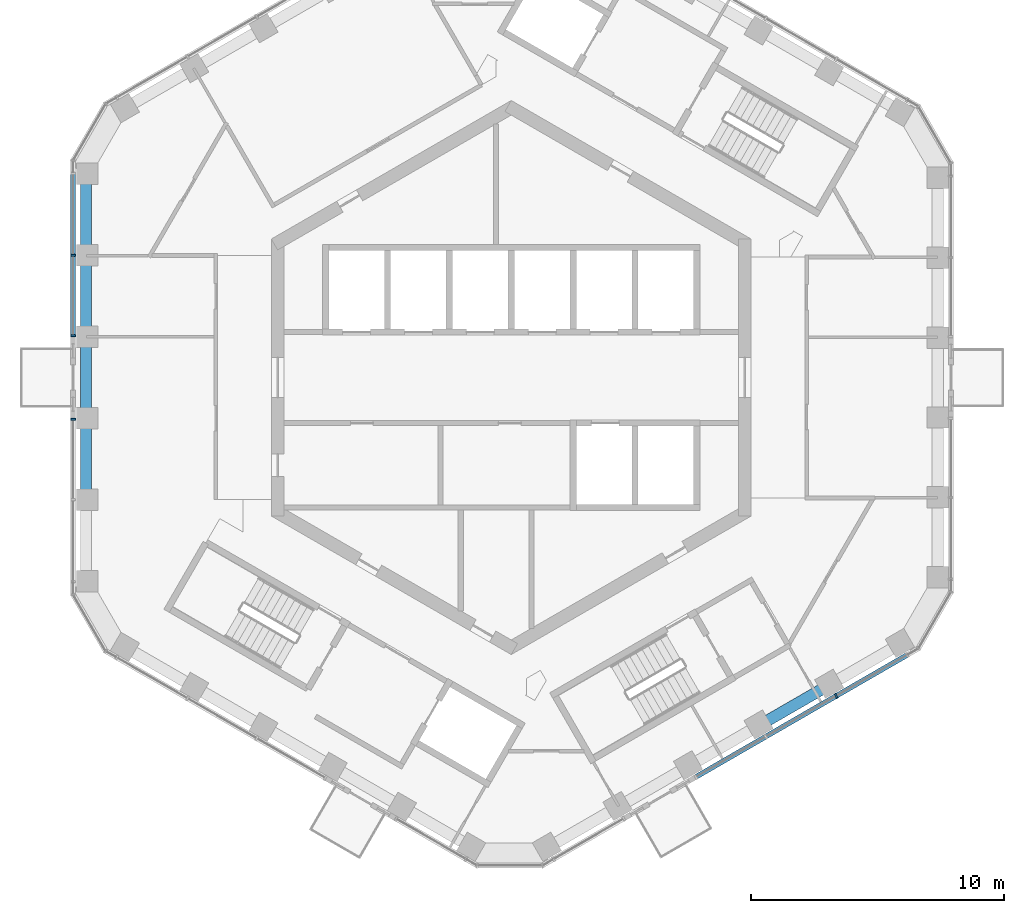
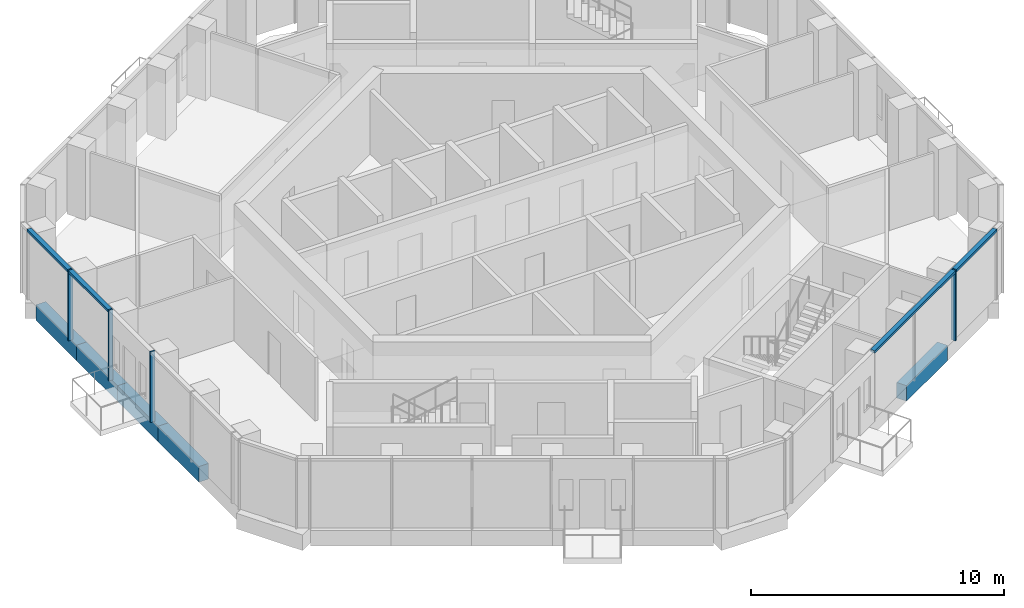
# One storey, part 3 of 19: 6 members, 5 beams, 3 elements without a shape of their own.
"""IFC4 building model written with IfcOpenShell, lengths in metres."""

import ifcopenshell
import ifcopenshell.guid

model = None  # the IFC model being written
_history = None  # IfcOwnerHistory: only IFC2X3 demands one
_inside = {}  # id of a spatial element -> (the spatial element, [elements in it])
_under = {}  # id of a project, library or spatial element -> (it, [spatial elements below it])
_declared = {}  # id of a project -> (the project, [libraries it declares])
_typed = {}  # id of a type object -> (the type object, [elements of that type])
_made_of = {}  # id of a material, layer set ... -> (it, [elements and type objects made of it])


def new_model(schema):
    """Start an empty IFC model of exactly this schema.

    Asked for "IFC4X3", IfcOpenShell would pick the latest addendum, in which some entities
    have other attributes; the version numbers below select the first issue.
    IFC2X3 requires an IfcOwnerHistory on every rooted entity: one is made here for all.
    """
    global model, _history
    if schema == "IFC4X3":
        model = ifcopenshell.file(schema_version=(4, 3, 0, 0))
    else:
        model = ifcopenshell.file(schema=schema)
    _inside.clear()
    _under.clear()
    _declared.clear()
    _typed.clear()
    _made_of.clear()
    _history = None
    if model.schema == "IFC2X3":
        org = make("IfcOrganization", Name="unknown")
        user = make(
            "IfcPersonAndOrganization",
            ThePerson=make("IfcPerson", FamilyName="unknown"),
            TheOrganization=org,
        )
        app = make(
            "IfcApplication",
            ApplicationDeveloper=org,
            Version="unknown",
            ApplicationFullName="unknown",
            ApplicationIdentifier="unknown",
        )
        _history = make(
            "IfcOwnerHistory",
            OwningUser=user,
            OwningApplication=app,
            ChangeAction="ADDED",
            CreationDate=0,
        )
    return model


def make(cls, **values):
    """One entity of the class cls with the attributes given. An attribute that is None is left unset."""
    return model.create_entity(
        cls, **{name: value for name, value in values.items() if value is not None}
    )


def rooted(cls, **values):
    """An entity with a GlobalId (a new one), such as an element, a storey or a relation."""
    return make(cls, GlobalId=ifcopenshell.guid.new(), OwnerHistory=_history, **values)


def si_unit(unit_type, name, prefix=None):
    """IfcSIUnit, for example si_unit("LENGTHUNIT", "METRE", prefix="MILLI")."""
    return make("IfcSIUnit", UnitType=unit_type, Prefix=prefix, Name=name)


def assignment(units):
    """IfcUnitAssignment: the units of a project."""
    return None if units is None else make("IfcUnitAssignment", Units=units)


def point(xyz):
    """IfcCartesianPoint."""
    return None if xyz is None else make("IfcCartesianPoint", Coordinates=xyz)


def direction(xyz):
    """IfcDirection."""
    return None if xyz is None else make("IfcDirection", DirectionRatios=xyz)


def frame(location, z_axis=None, x_axis=None):
    """IfcAxis2Placement3D, a coordinate frame: its origin and axes. An axis left out is left unset."""
    return make(
        "IfcAxis2Placement3D",
        Location=point(location),
        Axis=direction(z_axis),
        RefDirection=direction(x_axis),
    )


def frame_2d(location, x_axis=None):
    """IfcAxis2Placement2D, a coordinate frame in the plane: its origin and x axis."""
    return make(
        "IfcAxis2Placement2D", Location=point(location), RefDirection=direction(x_axis)
    )


def origin():
    """The frame at (0, 0, 0) with its axes left unset."""
    return frame((0.0, 0.0, 0.0))


def origin_2d():
    """The frame at (0, 0) in the plane with its x axis left unset."""
    return frame_2d((0.0, 0.0))


def place(relative_to, where):
    """IfcLocalPlacement: puts the frame where relative to a parent placement (None: the world)."""
    return make(
        "IfcLocalPlacement", PlacementRelTo=relative_to, RelativePlacement=where
    )


def context(
    kind, dimensions, precision=None, world=None, true_north=None, identifier=None
):
    """IfcGeometricRepresentationContext, for example the 3D "Model" context."""
    return make(
        "IfcGeometricRepresentationContext",
        ContextIdentifier=identifier,
        ContextType=kind,
        CoordinateSpaceDimension=dimensions,
        Precision=precision,
        WorldCoordinateSystem=world,
        TrueNorth=true_north,
    )


def subcontext(parent, identifier, kind, view, scale=None):
    """IfcGeometricRepresentationSubContext, for example "Body" below "Model"."""
    return make(
        "IfcGeometricRepresentationSubContext",
        ContextIdentifier=identifier,
        ContextType=kind,
        ParentContext=parent,
        TargetScale=scale,
        TargetView=view,
    )


def project(units=None, contexts=None):
    """IfcProject with its units and contexts."""
    return rooted(
        "IfcProject",
        Name="project",
        RepresentationContexts=contexts,
        UnitsInContext=assignment(units),
    )


def spatial(cls, under=None, at=None, **own):
    """A site, building, storey or space (cls), placed at a placement, below another one or the project."""
    s = rooted(cls, ObjectPlacement=at, **own)
    if under is not None:
        _under.setdefault(under.id(), (under, []))[1].append(s)
    return s


def profile(cls, at=None, kind="AREA", **sizes):
    """A parametric profile (cls). Its sizes go by their IFC names, for example OverallWidth=200.0."""
    return make(cls, ProfileType=kind, Position=at, **sizes)


def rectangle(**sizes):
    """IfcRectangleProfileDef."""
    return profile("IfcRectangleProfileDef", **sizes)


def extrude(swept, where, along, depth):
    """IfcExtrudedAreaSolid: the profile swept, set in the frame where, extruded along a direction by depth."""
    return make(
        "IfcExtrudedAreaSolid",
        SweptArea=swept,
        Position=where,
        ExtrudedDirection=direction(along),
        Depth=depth,
    )


def shape(context_of_items, identifier, shape_type, items):
    """IfcShapeRepresentation: the items that make up one representation, for example the "Body"."""
    return make(
        "IfcShapeRepresentation",
        ContextOfItems=context_of_items,
        RepresentationIdentifier=identifier,
        RepresentationType=shape_type,
        Items=items,
    )


def material(Name=None, Category=None):
    """IfcMaterial."""
    return make("IfcMaterial", Name=Name, Category=Category)


def layer(
    of_material, thickness, ventilated=None, Name=None, Category=None, Priority=None
):
    """IfcMaterialLayer: one layer of a wall or slab, of a material (None: an air gap)."""
    return make(
        "IfcMaterialLayer",
        Material=of_material,
        LayerThickness=thickness,
        IsVentilated=ventilated,
        Name=Name,
        Category=Category,
        Priority=Priority,
    )


def layer_set(layers, Name=None):
    """IfcMaterialLayerSet."""
    return make("IfcMaterialLayerSet", MaterialLayers=layers, LayerSetName=Name)


def material_profile(
    of_material, cross_section, Name=None, Category=None, Priority=None
):
    """IfcMaterialProfile: a cross section and its material."""
    return make(
        "IfcMaterialProfile",
        Name=Name,
        Material=of_material,
        Profile=cross_section,
        Priority=Priority,
        Category=Category,
    )


def profile_set(profiles, Name=None, composite=None):
    """IfcMaterialProfileSet."""
    return make(
        "IfcMaterialProfileSet",
        Name=Name,
        MaterialProfiles=profiles,
        CompositeProfile=composite,
    )


def made_of(thing, what):
    """Note that an element or type object is made of a material, layer set ...; save() writes the relation."""
    if what is not None:
        _made_of.setdefault(what.id(), (what, []))[1].append(thing)
    return thing


def type_object(cls, material=None, **own):
    """A type object (cls), such as IfcWallType, which elements share."""
    return made_of(rooted(cls, **own), material)


def element(
    cls,
    number,
    at=None,
    inside=None,
    cuts=None,
    type_object=None,
    material=None,
    context=None,
    identifier="Body",
    shape_type=None,
    held_by="IfcProductDefinitionShape",
    body=None,
    shapes=None,
    **own,
):
    """One element of the class cls, such as IfcWall. Its Tag is "e" and its number.

    at: its placement. inside: the storey or other place that contains it. cuts: it is an
    opening in that element (IfcRelVoidsElement). A single representation is given by context,
    identifier, shape_type and body (its items); several are given by shapes. held_by: the class
    of the entity that holds the representations. save() writes the other relations.
    """
    e = rooted(cls, Tag="e%d" % number, ObjectPlacement=at, **own)
    if body is not None:
        shapes = [shape(context, identifier, shape_type, body)]
    if shapes is not None:
        e.Representation = make(held_by, Representations=shapes)
    if inside is not None:
        _inside.setdefault(inside.id(), (inside, []))[1].append(e)
    if cuts is not None:
        rooted(
            "IfcRelVoidsElement", RelatingBuildingElement=cuts, RelatedOpeningElement=e
        )
    if type_object is not None:
        _typed.setdefault(type_object.id(), (type_object, []))[1].append(e)
    return made_of(e, material)


def aggregate(whole, parts):
    """IfcRelAggregates: a whole, such as a stair, and the parts it consists of."""
    return rooted("IfcRelAggregates", RelatingObject=whole, RelatedObjects=parts)


def save(model, path):
    """Write the relations noted so far, then the file.

    IfcRelAggregates (storeys below a building ...), IfcRelContainedInSpatialStructure (elements
    in a storey), IfcRelDefinesByType, IfcRelAssociatesMaterial and IfcRelDeclares: one each for
    every whole, place, type object, material and project.
    """
    for whole, parts in _under.values():
        aggregate(whole, parts)
    for where, things in _inside.values():
        rooted(
            "IfcRelContainedInSpatialStructure",
            RelatedElements=things,
            RelatingStructure=where,
        )
    for kind, things in _typed.values():
        rooted("IfcRelDefinesByType", RelatedObjects=things, RelatingType=kind)
    for what, things in _made_of.values():
        rooted("IfcRelAssociatesMaterial", RelatedObjects=things, RelatingMaterial=what)
    for by, libraries in _declared.values():
        rooted("IfcRelDeclares", RelatingContext=by, RelatedDefinitions=libraries)
    model.write(path)


model = new_model("IFC4")

# Units and contexts
model_context = context("Model", 3, precision=1e-05, world=origin(), true_north=direction((0.0, 1.0)))
body_context = subcontext(model_context, "Body", "Model", "MODEL_VIEW")
ifc_project = project(units=[si_unit("LENGTHUNIT", "METRE"), si_unit("AREAUNIT", "SQUARE_METRE"), si_unit("VOLUMEUNIT", "CUBIC_METRE"), si_unit("PLANEANGLEUNIT", "RADIAN"), si_unit("MASSUNIT", "GRAM", prefix="KILO")], contexts=[model_context])

# Site, building, storey
site_placement = place(None, origin())
site = spatial("IfcSite", under=ifc_project, at=site_placement, CompositionType="ELEMENT")
building_placement = place(site_placement, origin())
building = spatial("IfcBuilding", under=site, at=building_placement, Name="Ayvan Gate Tower", CompositionType="ELEMENT")
storey_placement = place(building_placement, frame((0.0, 0.0, 222.300048828125)))
storey = spatial("IfcBuildingStorey", under=building, at=storey_placement, Name="L59", CompositionType="ELEMENT", Elevation=222.300048828125)

# Beams
ifc_material_1 = material(Name="Concrete C40/50", Category="concrete")
ifc_material_profile_1 = material_profile(ifc_material_1, rectangle(XDim=0.449951171875, YDim=0.75, at=origin_2d()), Name="RC 450x750")
ifc_profile_set_1 = profile_set([ifc_material_profile_1], Name="Concrete C40/50")
beam_type = type_object("IfcBeamType", Name="Spandrel beam RC 450x750 C40/50", PredefinedType="BEAM", material=ifc_profile_set_1)
for number, where, z_axis, x_axis, name in (
    (1, (-16.8408203125, 8.044921875, -0.72509765625), (0.0, -1.0, 0.0), (1.0, 0.0, 0.0), "SB-L59-19"),
    (2, (-16.8408203125, 4.826904296875, -0.72509765625), (0.0, -1.0, 0.0), (1.0, 0.0, 0.0), "SB-L59-20"),
):
    element("IfcBeam", number, at=place(storey_placement, frame(where, z_axis=z_axis, x_axis=x_axis)), inside=storey, type_object=beam_type, Name=name, PredefinedType="BEAM", context=body_context, shape_type="SweptSolid", body=[
        extrude(rectangle(XDim=0.449951171875, YDim=0.75, at=origin_2d()), origin(), (0.0, 0.0, 1.0), 3.218017578125),
    ])
beam_placement = place(storey_placement, frame((-16.8408203125, 1.60888671875, -0.72509765625), z_axis=(0.0, -1.0, 0.0), x_axis=(1.0, 0.0, 0.0)))
element("IfcBeam", 3, at=beam_placement, inside=storey, type_object=beam_type, Name="SB-L59-21", PredefinedType="BEAM", context=body_context, shape_type="SweptSolid", body=[
    extrude(rectangle(XDim=0.449951171875, YDim=0.75, at=origin_2d()), origin(), (0.0, 0.0, 1.0), 3.2177734375),
])
for number, where, z_axis, x_axis, name in (
    (4, (-16.8408203125, -1.60888671875, -0.72509765625), (0.0, -1.0, 0.0), (1.0, 0.0, 0.0), "SB-L59-22"),
    (5, (9.813720703125, -13.780029296875, -0.72509765625), (0.866040295995, 0.499974205047, 0.0), (-0.499974205047, 0.866040295995, 0.0), "SB-L59-34"),
):
    element("IfcBeam", number, at=place(storey_placement, frame(where, z_axis=z_axis, x_axis=x_axis)), inside=storey, type_object=beam_type, Name=name, PredefinedType="BEAM", context=body_context, shape_type="SweptSolid", body=[
        extrude(rectangle(XDim=0.449951171875, YDim=0.75, at=origin_2d()), origin(), (0.0, 0.0, 1.0), 3.218017578125),
    ])

# Curtain wall, members
ifc_material_2 = material(Name="Bronze anodised aluminium", Category="aluminium")
ifc_layer = layer(ifc_material_2, 0.199951171875)
ifc_layer_set = layer_set([ifc_layer], Name="Bronze anodised aluminium")
curtain_wall_type = type_object("IfcCurtainWallType", Name="Stick curtain wall CW-2", PredefinedType="NOTDEFINED", material=ifc_layer_set)
curtain_wall_1_placement = place(storey_placement, origin())
curtain_wall_1 = element("IfcCurtainWall", 6, at=curtain_wall_1_placement, inside=storey, type_object=curtain_wall_type, Name="Stick curtain wall CW-2 L59", PredefinedType="NOTDEFINED")
ifc_material_profile_2 = material_profile(ifc_material_2, rectangle(XDim=0.199951171875, YDim=0.070068359375, at=origin_2d()), Name="Stick curtain wall CW-2 mullion 200 x 70")
ifc_profile_set_2 = profile_set([ifc_material_profile_2], Name="Bronze anodised aluminium")
member_type_1 = type_object("IfcMemberType", Name="Stick curtain wall CW-2 mullion 200 x 70", PredefinedType="MULLION", material=ifc_profile_set_2)
member_1_placement = place(storey_placement, frame((-17.35302734375, 4.84130859375, 0.0), z_axis=(0.0, 0.0, 1.0), x_axis=(-1.0, 0.0, 0.0)))
member_1 = element("IfcMember", 7, at=member_1_placement, type_object=member_type_1, Name="CW-2 mullion 2", PredefinedType="MULLION", context=body_context, shape_type="SweptSolid", body=[
    extrude(rectangle(XDim=0.199951171875, YDim=0.070068359375, at=origin_2d()), origin(), (0.0, 0.0, 1.0), 3.39990234375),
])
member_2_placement = place(storey_placement, frame((-17.35302734375, 1.6494140625, 0.0), z_axis=(0.0, 0.0, 1.0), x_axis=(-1.0, 0.0, 0.0)))
member_2 = element("IfcMember", 8, at=member_2_placement, type_object=member_type_1, Name="CW-2 mullion 3", PredefinedType="MULLION", context=body_context, shape_type="SweptSolid", body=[
    extrude(rectangle(XDim=0.199951171875, YDim=0.070068359375, at=origin_2d()), origin(), (0.0, 0.0, 1.0), 3.39990234375),
])

# Curtain wall, member
curtain_wall_2_placement = place(storey_placement, origin())
curtain_wall_2 = element("IfcCurtainWall", 9, at=curtain_wall_2_placement, inside=storey, type_object=curtain_wall_type, Name="Stick curtain wall CW-2 L59", PredefinedType="NOTDEFINED")
member_3_placement = place(storey_placement, frame((-17.35302734375, -1.648681640625, 0.0), z_axis=(0.0, 0.0, 1.0), x_axis=(-1.0, 0.0, 0.0)))
member_3 = element("IfcMember", 10, at=member_3_placement, type_object=member_type_1, Name="CW-2 mullion 1", PredefinedType="MULLION", context=body_context, shape_type="SweptSolid", body=[
    extrude(rectangle(XDim=0.199951171875, YDim=0.070068359375, at=origin_2d()), origin(), (0.0, 0.0, 1.0), 3.39990234375),
])
aggregate(curtain_wall_2, [member_3])

curtain_wall_3_placement = place(storey_placement, origin())
curtain_wall_3 = element("IfcCurtainWall", 11, at=curtain_wall_3_placement, inside=storey, type_object=curtain_wall_type, Name="Stick curtain wall CW-2 L59", PredefinedType="NOTDEFINED")
member_4_placement = place(storey_placement, frame((12.86962890625, -12.607421875, 0.0), z_axis=(0.0, 0.0, 1.0), x_axis=(0.5, -0.866025403784, 0.0)))
member_4 = element("IfcMember", 12, at=member_4_placement, type_object=member_type_1, Name="CW-2 mullion 3", PredefinedType="MULLION", context=body_context, shape_type="SweptSolid", body=[
    extrude(rectangle(XDim=0.199951171875, YDim=0.070068359375, at=origin_2d()), origin(), (0.0, 0.0, 1.0), 3.39990234375),
])

# Member
ifc_material_profile_3 = material_profile(ifc_material_2, rectangle(XDim=0.199951171875, YDim=0.1201171875, at=origin_2d()), Name="Stick curtain wall CW-2 transom 200 x 120")
ifc_profile_set_3 = profile_set([ifc_material_profile_3], Name="Bronze anodised aluminium")
member_type_2 = type_object("IfcMemberType", Name="Stick curtain wall CW-2 transom 200 x 120", PredefinedType="USERDEFINED", material=ifc_profile_set_3)
member_5_placement = place(storey_placement, frame((-17.35302734375, 8.08642578125, 3.33984375), z_axis=(0.0, -1.0, 0.0), x_axis=(1.0, 0.0, 0.0)))
member_5 = element("IfcMember", 13, at=member_5_placement, type_object=member_type_2, Name="CW-2 transom 1", ObjectType="TRANSOM", PredefinedType="USERDEFINED", context=body_context, shape_type="SweptSolid", body=[
    extrude(rectangle(XDim=0.199951171875, YDim=0.1201171875, at=origin_2d()), origin(), (0.0, 0.0, 1.0), 6.43701171875),
])

aggregate(curtain_wall_1, [member_1, member_2, member_5])

member_6_placement = place(storey_placement, frame((7.308837890625, -15.81787109375, 3.33984375), z_axis=(0.866025746447, 0.49999940649, 0.0), x_axis=(-0.49999940649, 0.866025746447, 0.0)))
member_6 = element("IfcMember", 14, at=member_6_placement, type_object=member_type_2, Name="CW-2 transom 1", ObjectType="TRANSOM", PredefinedType="USERDEFINED", context=body_context, shape_type="SweptSolid", body=[
    extrude(rectangle(XDim=0.199951171875, YDim=0.1201171875, at=origin_2d()), origin(), (0.0, 0.0, 1.0), 9.66552734375),
])

aggregate(curtain_wall_3, [member_4, member_6])

save(model, "model.ifc")
